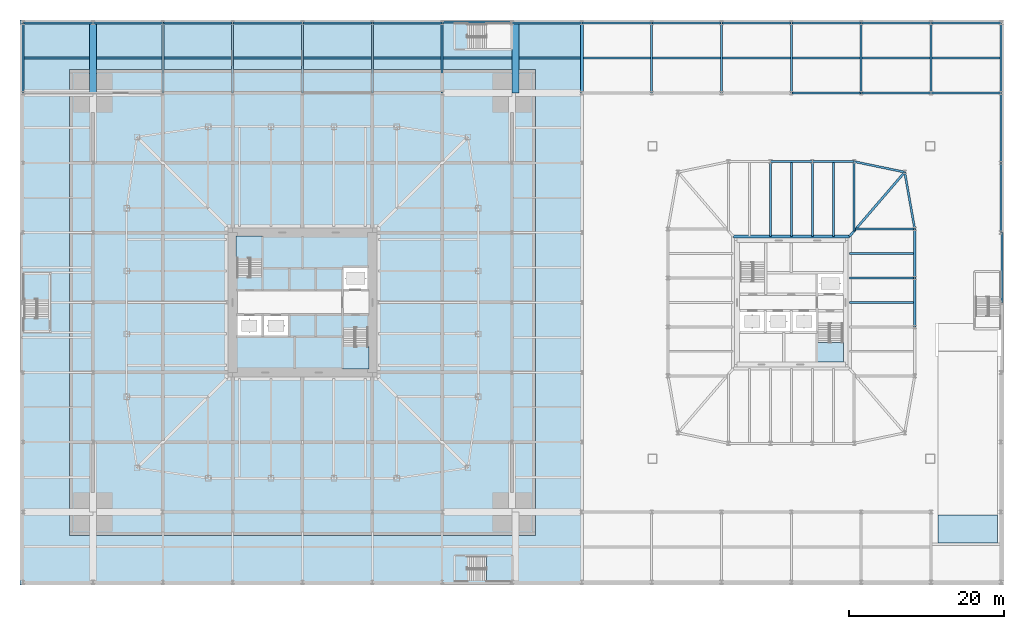
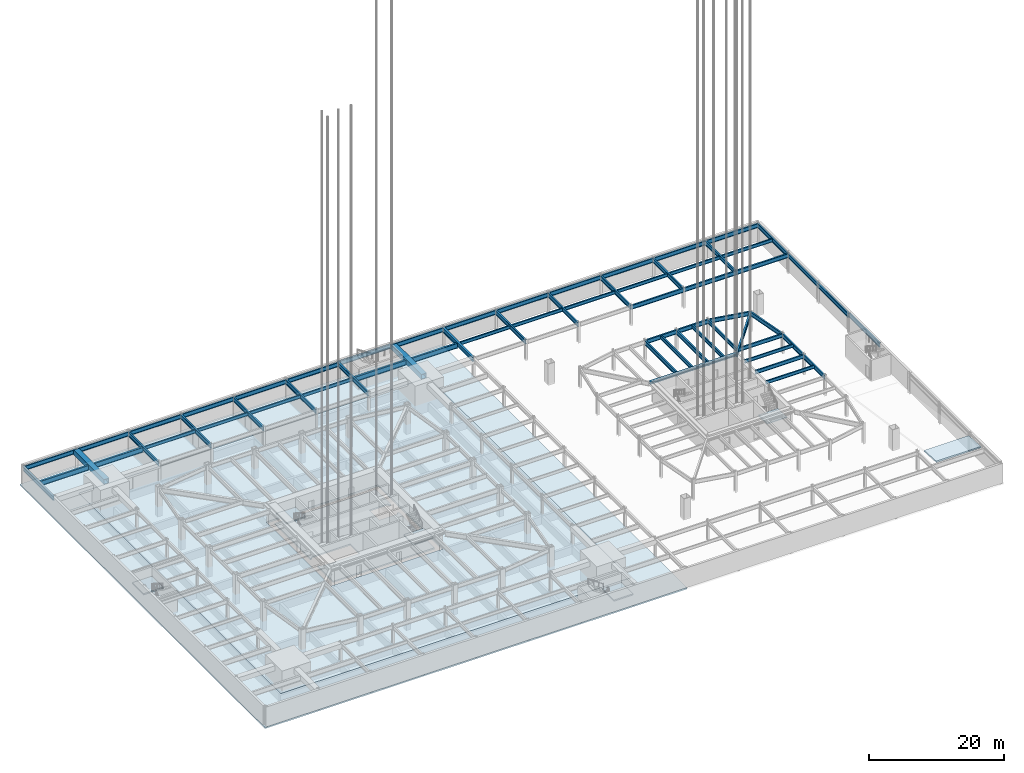
# One storey, part 8 of 35: 66 beams, 9 slabs, 5 elements without a shape of their own.
"""IFC4 building model written with IfcOpenShell, lengths in metres."""

from ifc_helpers import new_model, si_unit, direction, frame, origin, origin_2d, place, context, subcontext, project, spatial, polyline, hollow_rectangle, i_section, outline, extrude, material, layer, layer_set, constituent, constituent_set, material_profile, profile_set, type_object, element, aggregate, save


model = new_model("IFC4")

# Units and contexts
model_context = context("Model", 3, precision=1e-05, world=origin(), true_north=direction((0.0, 1.0)))
body_context = subcontext(model_context, "Body", "Model", "MODEL_VIEW")
ifc_project = project(units=[si_unit("LENGTHUNIT", "METRE"), si_unit("AREAUNIT", "SQUARE_METRE"), si_unit("VOLUMEUNIT", "CUBIC_METRE"), si_unit("PLANEANGLEUNIT", "RADIAN"), si_unit("MASSUNIT", "GRAM", prefix="KILO")], contexts=[model_context])

# Site, building, storey
site_placement = place(None, origin())
site = spatial("IfcSite", under=ifc_project, at=site_placement, CompositionType="ELEMENT")
building_placement = place(site_placement, origin())
building = spatial("IfcBuilding", under=site, at=building_placement, Name="Iwan Alto Co-Living Towers", CompositionType="ELEMENT")
storey_placement = place(building_placement, frame((0.0, 0.0, -7.199951171875)))
storey = spatial("IfcBuildingStorey", under=building, at=storey_placement, Name="B2", CompositionType="ELEMENT", Elevation=-7.199951171875)

# Beams
ifc_material_1 = material(Name="Steel ASTM A992 Gr 50", Category="steel")
ifc_material_profile_1 = material_profile(ifc_material_1, i_section(OverallWidth=0.2666015625, OverallDepth=0.76953125, WebThickness=0.015625, FlangeThickness=0.025390625, at=origin_2d()), Name="W30X132")
ifc_profile_set_1 = profile_set([ifc_material_profile_1], Name="Steel ASTM A992 Gr 50")
beam_type_1 = type_object("IfcBeamType", Name="PODIUM BEAM W30X132", PredefinedType="BEAM", material=ifc_profile_set_1)
for number, where, z_axis, x_axis, name in (
    (1, (-36.0, 27.0, 2.965087890625), (0.0, 1.0, 0.0), (-1.0, 0.0, 0.0), "Podium beam 1/H-1/I B1"),
    (2, (-36.0, 36.0, 2.965087890625), (1.0, 0.0, 0.0), (0.0, 1.0, 0.0), "Podium beam 1/I-2/I B1"),
    (3, (-27.0, 36.0, 2.965087890625), (1.0, 0.0, 0.0), (0.0, 1.0, 0.0), "Podium beam 2/I-3/I B1"),
    (4, (-18.0, 27.0, 2.965087890625), (0.0, 1.0, 0.0), (-1.0, 0.0, 0.0), "Podium beam 3/H-3/I B1"),
    (5, (-18.0, 36.0, 2.965087890625), (1.0, 0.0, 0.0), (0.0, 1.0, 0.0), "Podium beam 3/I-4/I B1"),
    (6, (-9.0, 27.0, 2.965087890625), (0.0, 1.0, 0.0), (-1.0, 0.0, 0.0), "Podium beam 4/H-4/I B1"),
    (7, (-9.0, 36.0, 2.965087890625), (1.0, 0.0, 0.0), (0.0, 1.0, 0.0), "Podium beam 4/I-5/I B1"),
    (8, (0.0, 27.0, 2.965087890625), (0.0, 1.0, 0.0), (-1.0, 0.0, 0.0), "Podium beam 5/H-5/I B1"),
    (9, (0.0, 36.0, 2.965087890625), (1.0, 0.0, 0.0), (0.0, 1.0, 0.0), "Podium beam 5/I-6/I B1"),
    (10, (9.0, 27.0, 2.965087890625), (0.0, 1.0, 0.0), (-1.0, 0.0, 0.0), "Podium beam 6/H-6/I B1"),
    (11, (9.0, 36.0, 2.965087890625), (1.0, 0.0, 0.0), (0.0, 1.0, 0.0), "Podium beam 6/I-7/I B1"),
    (12, (18.0, 27.0, 2.965087890625), (0.0, 1.0, 0.0), (-1.0, 0.0, 0.0), "Podium beam 7/H-7/I B1"),
    (13, (18.0, 36.1533203125, 2.965087890625), (1.0, 0.0, 0.0), (0.0, 1.0, 0.0), "Podium beam 7/I-8/I B1"),
    (14, (27.0, 36.0, 2.965087890625), (1.0, 0.0, 0.0), (0.0, 1.0, 0.0), "Podium beam 8/I-9/I B1"),
    (15, (36.0, 36.0, 2.965087890625), (1.0, 0.0, 0.0), (0.0, 1.0, 0.0), "Podium beam 9/I-10/I B1"),
    (16, (45.0, 27.0, 2.965087890625), (0.0, 1.0, 0.0), (-1.0, 0.0, 0.0), "Podium beam 10/H-10/I B1"),
    (17, (45.0, 36.0, 2.965087890625), (1.0, 0.0, 0.0), (0.0, 1.0, 0.0), "Podium beam 10/I-11/I B1"),
    (18, (54.0, 27.0, 2.965087890625), (0.0, 1.0, 0.0), (-1.0, 0.0, 0.0), "Podium beam 11/H-11/I B1"),
    (19, (54.0, 36.0, 2.965087890625), (1.0, 0.0, 0.0), (0.0, 1.0, 0.0), "Podium beam 11/I-12/I B1"),
    (20, (63.0, 27.0, 2.965087890625), (1.0, 0.0, 0.0), (0.0, 1.0, 0.0), "Podium beam 12/H-13/H B1"),
    (21, (63.0, 27.0, 2.965087890625), (0.0, 1.0, 0.0), (-1.0, 0.0, 0.0), "Podium beam 12/H-12/I B1"),
    (22, (63.0, 36.0, 2.965087890625), (1.0, 0.0, 0.0), (0.0, 1.0, 0.0), "Podium beam 12/I-13/I B1"),
    (23, (72.0, 27.0, 2.965087890625), (1.0, 0.0, 0.0), (0.0, 1.0, 0.0), "Podium beam 13/H-14/H B1"),
    (24, (72.0, 27.0, 2.965087890625), (0.0, 1.0, 0.0), (-1.0, 0.0, 0.0), "Podium beam 13/H-13/I B1"),
    (25, (72.0, 36.0, 2.965087890625), (1.0, 0.0, 0.0), (0.0, 1.0, 0.0), "Podium beam 13/I-14/I B1"),
    (26, (81.0, 27.0, 2.965087890625), (1.0, 0.0, 0.0), (0.0, 1.0, 0.0), "Podium beam 14/H-15/H B1"),
    (27, (81.0, 27.0, 2.965087890625), (0.0, 1.0, 0.0), (-1.0, 0.0, 0.0), "Podium beam 14/H-14/I B1"),
    (28, (81.0, 36.0, 2.965087890625), (1.0, 0.0, 0.0), (0.0, 1.0, 0.0), "Podium beam 14/I-15/I B1"),
    (29, (90.1533203125, 0.0, 2.965087890625), (0.0, 1.0, 0.0), (-1.0, 0.0, 0.0), "Podium beam 15/E-15/F B1"),
    (30, (90.0, 9.0, 2.965087890625), (0.0, 1.0, 0.0), (-1.0, 0.0, 0.0), "Podium beam 15/F-15/G B1"),
    (31, (90.0, 18.0, 2.965087890625), (0.0, 1.0, 0.0), (-1.0, 0.0, 0.0), "Podium beam 15/G-15/H B1"),
    (32, (90.0, 27.0, 2.965087890625), (0.0, 1.0, 0.0), (-1.0, 0.0, 0.0), "Podium beam 15/H-15/I B1"),
):
    element("IfcBeam", number, at=place(storey_placement, frame(where, z_axis=z_axis, x_axis=x_axis)), inside=storey, type_object=beam_type_1, Name=name, PredefinedType="BEAM", context=body_context, shape_type="SweptSolid", body=[
        extrude(i_section(OverallWidth=0.2666015625, OverallDepth=0.76953125, WebThickness=0.015625, FlangeThickness=0.025390625, at=origin_2d()), origin(), (0.0, 0.0, 1.0), 9.0),
    ])
ifc_material_2 = material(Name="Steel ASTM A992 Gr 50", Category="steel")
ifc_material_profile_2 = material_profile(ifc_material_2, i_section(OverallWidth=0.381103515625, OverallDepth=0.772216796875, WebThickness=0.0166015625, FlangeThickness=0.027099609375, at=origin_2d()), Name="W30X173")
ifc_profile_set_2 = profile_set([ifc_material_profile_2], Name="Steel ASTM A992 Gr 50")
beam_type_2 = type_object("IfcBeamType", Name="PODIUM JOINT BEAM W30X173", PredefinedType="BEAM", material=ifc_profile_set_2)
beam_1_placement = place(storey_placement, frame((36.0, 27.0, 2.9638671875), z_axis=(0.0, 1.0, 0.0), x_axis=(-1.0, 0.0, 0.0)))
element("IfcBeam", 33, at=beam_1_placement, inside=storey, type_object=beam_type_2, Name="Podium beam 9/H-9/I B1", PredefinedType="BEAM", context=body_context, shape_type="SweptSolid", body=[
    extrude(i_section(OverallWidth=0.381103515625, OverallDepth=0.772216796875, WebThickness=0.0166015625, FlangeThickness=0.027099609375, at=origin_2d()), origin(), (0.0, 0.0, 1.0), 9.0),
])
ifc_material_3 = material(Name="Steel ASTM A992 Gr 50", Category="steel")
ifc_material_profile_3 = material_profile(ifc_material_3, i_section(OverallWidth=0.307373046875, OverallDepth=0.927001953125, WebThickness=0.01953125, FlangeThickness=0.031982421875, at=origin_2d()), Name="W36X194")
ifc_profile_set_3 = profile_set([ifc_material_profile_3], Name="Steel ASTM A992 Gr 50")
beam_type_3 = type_object("IfcBeamType", Name="PODIUM PIER BAY SECONDARY BEAM W36X194", PredefinedType="JOIST", material=ifc_profile_set_3)
for number, where, z_axis, x_axis, name in (
    (34, (-35.86669921875, 31.5, 2.886474609375), (1.0, 0.0, 0.0), (0.0, 1.0, 0.0), "Podium secondary beam 1/H B1"),
    (35, (-26.550048828125, 31.5, 2.886474609375), (1.0, 0.0, 0.0), (0.0, 1.0, 0.0), "Podium secondary beam 2/H B1"),
):
    element("IfcBeam", number, at=place(storey_placement, frame(where, z_axis=z_axis, x_axis=x_axis)), inside=storey, type_object=beam_type_3, Name=name, PredefinedType="JOIST", context=body_context, shape_type="SweptSolid", body=[
        extrude(i_section(OverallWidth=0.307373046875, OverallDepth=0.927001953125, WebThickness=0.01953125, FlangeThickness=0.031982421875, at=origin_2d()), origin(), (0.0, 0.0, 1.0), 8.416748046875),
    ])
beam_2_placement = place(storey_placement, frame((18.13330078125, 31.5, 2.886474609375), z_axis=(1.0, 0.0, 0.0), x_axis=(0.0, 1.0, 0.0)))
element("IfcBeam", 36, at=beam_2_placement, inside=storey, type_object=beam_type_3, Name="Podium secondary beam 7/H B1", PredefinedType="JOIST", context=body_context, shape_type="SweptSolid", body=[
    extrude(i_section(OverallWidth=0.307373046875, OverallDepth=0.927001953125, WebThickness=0.01953125, FlangeThickness=0.031982421875, at=origin_2d()), origin(), (0.0, 0.0, 1.0), 8.88671875),
])
beam_3_placement = place(storey_placement, frame((27.919921875, 31.5, 2.886474609375), z_axis=(1.0, 0.0, 0.0), x_axis=(0.0, 1.0, 0.0)))
element("IfcBeam", 37, at=beam_3_placement, inside=storey, type_object=beam_type_3, Name="Podium secondary beam 8/H B1", PredefinedType="JOIST", context=body_context, shape_type="SweptSolid", body=[
    extrude(i_section(OverallWidth=0.307373046875, OverallDepth=0.927001953125, WebThickness=0.01953125, FlangeThickness=0.031982421875, at=origin_2d()), origin(), (0.0, 0.0, 1.0), 7.8896484375),
])
ifc_material_4 = material(Name="Steel ASTM A572 Gr 50", Category="steel")
ifc_material_profile_4 = material_profile(ifc_material_4, hollow_rectangle(XDim=0.89990234375, YDim=0.89990234375, WallThickness=0.06005859375, at=origin_2d()), Name="BOX 900X900X60")
ifc_profile_set_4 = profile_set([ifc_material_profile_4], Name="Steel ASTM A572 Gr 50")
beam_type_4 = type_object("IfcBeamType", Name="PODIUM PIER BEAM BOX 900X900X60", PredefinedType="BEAM", material=ifc_profile_set_4)
for number, where, z_axis, x_axis, name in (
    (38, (-27.0, 27.0, 2.89990234375), (0.0, 1.0, 0.0), (-1.0, 0.0, 0.0), "Podium beam 2/H-2/I B1"),
    (39, (27.469970703125, 27.0, 2.89990234375), (0.0, 1.0, 0.0), (-1.0, 0.0, 0.0), "Podium beam 8/H-8/I B1"),
):
    element("IfcBeam", number, at=place(storey_placement, frame(where, z_axis=z_axis, x_axis=x_axis)), inside=storey, type_object=beam_type_4, Name=name, PredefinedType="BEAM", context=body_context, shape_type="SweptSolid", body=[
        extrude(hollow_rectangle(XDim=0.89990234375, YDim=0.89990234375, WallThickness=0.06005859375, at=origin_2d()), origin(), (0.0, 0.0, 1.0), 9.0),
    ])
ifc_material_5 = material(Name="Steel ASTM A992 Gr 50", Category="steel")
ifc_material_profile_5 = material_profile(ifc_material_5, i_section(OverallWidth=0.23046875, OverallDepth=0.6171875, WebThickness=0.01318359375, FlangeThickness=0.022216796875, at=origin_2d()), Name="W24X94")
ifc_profile_set_5 = profile_set([ifc_material_profile_5], Name="Steel ASTM A992 Gr 50")
beam_type_5 = type_object("IfcBeamType", Name="PODIUM SECONDARY BEAM W24X94", PredefinedType="JOIST", material=ifc_profile_set_5)
for number, where, z_axis, x_axis, name in (
    (40, (-17.86669921875, 31.5, 3.041259765625), (1.0, 0.0, 0.0), (0.0, 1.0, 0.0), "Podium secondary beam 3/H B1"),
    (41, (-8.86669921875, 31.5, 3.041259765625), (1.0, 0.0, 0.0), (0.0, 1.0, 0.0), "Podium secondary beam 4/H B1"),
    (42, (0.13330078125, 31.5, 3.041259765625), (1.0, 0.0, 0.0), (0.0, 1.0, 0.0), "Podium secondary beam 5/H B1"),
    (43, (9.13330078125, 31.5, 3.041259765625), (1.0, 0.0, 0.0), (0.0, 1.0, 0.0), "Podium secondary beam 6/H B1"),
):
    element("IfcBeam", number, at=place(storey_placement, frame(where, z_axis=z_axis, x_axis=x_axis)), inside=storey, type_object=beam_type_5, Name=name, PredefinedType="JOIST", context=body_context, shape_type="SweptSolid", body=[
        extrude(i_section(OverallWidth=0.23046875, OverallDepth=0.6171875, WebThickness=0.01318359375, FlangeThickness=0.022216796875, at=origin_2d()), origin(), (0.0, 0.0, 1.0), 8.7333984375),
    ])
beam_4_placement = place(storey_placement, frame((36.1904296875, 31.5, 3.041259765625), z_axis=(1.0, 0.0, 0.0), x_axis=(0.0, 1.0, 0.0)))
element("IfcBeam", 44, at=beam_4_placement, inside=storey, type_object=beam_type_5, Name="Podium secondary beam 9/H B1", PredefinedType="JOIST", context=body_context, shape_type="SweptSolid", body=[
    extrude(i_section(OverallWidth=0.23046875, OverallDepth=0.6171875, WebThickness=0.01318359375, FlangeThickness=0.022216796875, at=origin_2d()), origin(), (0.0, 0.0, 1.0), 8.67626953125),
])
for number, where, z_axis, x_axis, name in (
    (45, (45.13330078125, 31.5, 3.041259765625), (1.0, 0.0, 0.0), (0.0, 1.0, 0.0), "Podium secondary beam 10/H B1"),
    (46, (54.13330078125, 31.5, 3.041259765625), (1.0, 0.0, 0.0), (0.0, 1.0, 0.0), "Podium secondary beam 11/H B1"),
    (47, (63.13330078125, 31.5, 3.041259765625), (1.0, 0.0, 0.0), (0.0, 1.0, 0.0), "Podium secondary beam 12/H B1"),
    (48, (72.13330078125, 31.5, 3.041259765625), (1.0, 0.0, 0.0), (0.0, 1.0, 0.0), "Podium secondary beam 13/H B1"),
    (49, (81.13330078125, 31.5, 3.041259765625), (1.0, 0.0, 0.0), (0.0, 1.0, 0.0), "Podium secondary beam 14/H B1"),
):
    element("IfcBeam", number, at=place(storey_placement, frame(where, z_axis=z_axis, x_axis=x_axis)), inside=storey, type_object=beam_type_5, Name=name, PredefinedType="JOIST", context=body_context, shape_type="SweptSolid", body=[
        extrude(i_section(OverallWidth=0.23046875, OverallDepth=0.6171875, WebThickness=0.01318359375, FlangeThickness=0.022216796875, at=origin_2d()), origin(), (0.0, 0.0, 1.0), 8.7333984375),
    ])
ifc_material_6 = material(Name="Steel ASTM A992 Gr 50", Category="steel")
ifc_material_profile_6 = material_profile(ifc_material_6, i_section(OverallWidth=0.424072265625, OverallDepth=0.47509765625, WebThickness=0.0478515625, FlangeThickness=0.0771484375, at=origin_2d()), Name="W14X426")
ifc_profile_set_6 = profile_set([ifc_material_profile_6], Name="Steel ASTM A992 Gr 50")
beam_type_6 = type_object("IfcBeamType", Name="T2 CORE LEDGER BEAM W14X426", PredefinedType="BEAM", material=ifc_profile_set_6)
beam_5_placement = place(storey_placement, frame((70.482421875, 8.51220703125, 3.112548828125), z_axis=(-1.0, 0.0, 0.0), x_axis=(0.0, -1.0, 0.0)))
element("IfcBeam", 50, at=beam_5_placement, inside=storey, type_object=beam_type_6, Name="T2 core ledger beam N B1", PredefinedType="BEAM", context=body_context, shape_type="SweptSolid", body=[
    extrude(i_section(OverallWidth=0.424072265625, OverallDepth=0.47509765625, WebThickness=0.0478515625, FlangeThickness=0.0771484375, at=origin_2d()), origin(), (0.0, 0.0, 1.0), 14.96484375),
])
ifc_material_7 = material(Name="Steel ASTM A992 Gr 50", Category="steel")
ifc_material_profile_7 = material_profile(ifc_material_7, i_section(OverallWidth=0.2919921875, OverallDepth=0.8408203125, WebThickness=0.0146484375, FlangeThickness=0.021728515625, at=origin_2d()), Name="W33X130")
ifc_profile_set_7 = profile_set([ifc_material_profile_7], Name="Steel ASTM A992 Gr 50")
beam_type_7 = type_object("IfcBeamType", Name="T2 CORNER GIRDER W33X130", PredefinedType="BEAM", material=ifc_profile_set_7)
beam_6_placement = place(storey_placement, frame((77.606201171875, 16.797119140625, 2.9296875), z_axis=(-0.651973760483, -0.758241528565, 0.0), x_axis=(0.758241528565, -0.651973760483, 0.0)))
element("IfcBeam", 51, at=beam_6_placement, inside=storey, type_object=beam_type_7, Name="T2 corner girder CNE B1", PredefinedType="BEAM", context=body_context, shape_type="SweptSolid", body=[
    extrude(i_section(OverallWidth=0.2919921875, OverallDepth=0.8408203125, WebThickness=0.0146484375, FlangeThickness=0.021728515625, at=origin_2d()), origin(), (0.0, 0.0, 1.0), 10.926513671875),
])
ifc_material_8 = material(Name="Steel ASTM A992 Gr 50", Category="steel")
ifc_material_profile_8 = material_profile(ifc_material_8, i_section(OverallWidth=0.2666015625, OverallDepth=0.761962890625, WebThickness=0.014404296875, FlangeThickness=0.021484375, at=origin_2d()), Name="W30X116")
ifc_profile_set_8 = profile_set([ifc_material_profile_8], Name="Steel ASTM A992 Gr 50")
beam_type_8 = type_object("IfcBeamType", Name="T2 EDGE BEAM W30X116", PredefinedType="BEAM", material=ifc_profile_set_8)
beam_7_placement = place(storey_placement, frame((78.89990234375, -3.14990234375, 2.968994140625), z_axis=(0.0, 1.0, 0.0), x_axis=(-1.0, 0.0, 0.0)))
element("IfcBeam", 52, at=beam_7_placement, inside=storey, type_object=beam_type_8, Name="T2 edge beam E2 B1", PredefinedType="BEAM", context=body_context, shape_type="SweptSolid", body=[
    extrude(i_section(OverallWidth=0.2666015625, OverallDepth=0.761962890625, WebThickness=0.014404296875, FlangeThickness=0.021484375, at=origin_2d()), origin(), (0.0, 0.0, 1.0), 6.2998046875),
])
beam_8_placement = place(storey_placement, frame((78.89990234375, 3.14990234375, 2.968994140625), z_axis=(0.0, 1.0, 0.0), x_axis=(-1.0, 0.0, 0.0)))
element("IfcBeam", 53, at=beam_8_placement, inside=storey, type_object=beam_type_8, Name="T2 edge beam E3 B1", PredefinedType="BEAM", context=body_context, shape_type="SweptSolid", body=[
    extrude(i_section(OverallWidth=0.2666015625, OverallDepth=0.761962890625, WebThickness=0.014404296875, FlangeThickness=0.021484375, at=origin_2d()), origin(), (0.0, 0.0, 1.0), 6.300048828125),
])
beam_9_placement = place(storey_placement, frame((78.89990234375, 9.449951171875, 2.968994140625), z_axis=(-0.173413807283, 0.98484905008, 0.0), x_axis=(-0.98484905008, -0.173413807283, 0.0)))
element("IfcBeam", 54, at=beam_9_placement, inside=storey, type_object=beam_type_8, Name="T2 edge beam E4 B1", PredefinedType="BEAM", context=body_context, shape_type="SweptSolid", body=[
    extrude(i_section(OverallWidth=0.2666015625, OverallDepth=0.761962890625, WebThickness=0.014404296875, FlangeThickness=0.021484375, at=origin_2d()), origin(), (0.0, 0.0, 1.0), 7.460205078125),
])
beam_10_placement = place(storey_placement, frame((77.606201171875, 16.797119140625, 2.968994140625), z_axis=(-0.979060119423, 0.203571320564, 0.0), x_axis=(-0.203571320564, -0.979060119423, 0.0)))
element("IfcBeam", 55, at=beam_10_placement, inside=storey, type_object=beam_type_8, Name="T2 edge beam CNE B1", PredefinedType="BEAM", context=body_context, shape_type="SweptSolid", body=[
    extrude(i_section(OverallWidth=0.2666015625, OverallDepth=0.761962890625, WebThickness=0.014404296875, FlangeThickness=0.021484375, at=origin_2d()), origin(), (0.0, 0.0, 1.0), 6.645263671875),
])
beam_11_placement = place(storey_placement, frame((71.10009765625, 18.14990234375, 2.968994140625), z_axis=(-1.0, 0.0, 0.0), x_axis=(0.0, -1.0, 0.0)))
element("IfcBeam", 56, at=beam_11_placement, inside=storey, type_object=beam_type_8, Name="T2 edge beam N1 B1", PredefinedType="BEAM", context=body_context, shape_type="SweptSolid", body=[
    extrude(i_section(OverallWidth=0.2666015625, OverallDepth=0.761962890625, WebThickness=0.014404296875, FlangeThickness=0.021484375, at=origin_2d()), origin(), (0.0, 0.0, 1.0), 5.400146484375),
])
beam_12_placement = place(storey_placement, frame((65.699951171875, 18.14990234375, 2.968994140625), z_axis=(-1.0, 0.0, 0.0), x_axis=(0.0, -1.0, 0.0)))
element("IfcBeam", 57, at=beam_12_placement, inside=storey, type_object=beam_type_8, Name="T2 edge beam N2 B1", PredefinedType="BEAM", context=body_context, shape_type="SweptSolid", body=[
    extrude(i_section(OverallWidth=0.2666015625, OverallDepth=0.761962890625, WebThickness=0.014404296875, FlangeThickness=0.021484375, at=origin_2d()), origin(), (0.0, 0.0, 1.0), 5.39990234375),
])
ifc_material_9 = material(Name="Steel ASTM A992 Gr 50", Category="steel")
ifc_material_profile_9 = material_profile(ifc_material_9, i_section(OverallWidth=0.25390625, OverallDepth=0.683349609375, WebThickness=0.012451171875, FlangeThickness=0.018798828125, at=origin_2d()), Name="W27X94")
ifc_profile_set_9 = profile_set([ifc_material_profile_9], Name="Steel ASTM A992 Gr 50")
beam_type_9 = type_object("IfcBeamType", Name="T2 RADIAL BEAM W27X94", PredefinedType="BEAM", material=ifc_profile_set_9)
beam_13_placement = place(storey_placement, frame((78.89990234375, 3.14990234375, 3.00830078125), z_axis=(-1.0, 0.0, 0.0), x_axis=(0.0, -1.0, 0.0)))
element("IfcBeam", 58, at=beam_13_placement, inside=storey, type_object=beam_type_9, Name="T2 radial beam E3 B1", PredefinedType="BEAM", context=body_context, shape_type="SweptSolid", body=[
    extrude(i_section(OverallWidth=0.25390625, OverallDepth=0.683349609375, WebThickness=0.012451171875, FlangeThickness=0.018798828125, at=origin_2d()), origin(), (0.0, 0.0, 1.0), 8.3876953125),
])
beam_14_placement = place(storey_placement, frame((78.89990234375, 9.449951171875, 3.00830078125), z_axis=(-1.0, 0.0, 0.0), x_axis=(0.0, -1.0, 0.0)))
element("IfcBeam", 59, at=beam_14_placement, inside=storey, type_object=beam_type_9, Name="T2 radial beam E4 B1", PredefinedType="BEAM", context=body_context, shape_type="SweptSolid", body=[
    extrude(i_section(OverallWidth=0.25390625, OverallDepth=0.683349609375, WebThickness=0.012451171875, FlangeThickness=0.018798828125, at=origin_2d()), origin(), (0.0, 0.0, 1.0), 7.611083984375),
])
beam_15_placement = place(storey_placement, frame((71.10009765625, 18.14990234375, 3.00830078125), z_axis=(0.0, -1.0, 0.0), x_axis=(1.0, 0.0, 0.0)))
element("IfcBeam", 60, at=beam_15_placement, inside=storey, type_object=beam_type_9, Name="T2 radial beam N1 B1", PredefinedType="BEAM", context=body_context, shape_type="SweptSolid", body=[
    extrude(i_section(OverallWidth=0.25390625, OverallDepth=0.683349609375, WebThickness=0.012451171875, FlangeThickness=0.018798828125, at=origin_2d()), origin(), (0.0, 0.0, 1.0), 8.91943359375),
])
ifc_material_10 = material(Name="Steel ASTM A992 Gr 50", Category="steel")
ifc_material_profile_10 = material_profile(ifc_material_10, i_section(OverallWidth=0.2666015625, OverallDepth=0.761962890625, WebThickness=0.014404296875, FlangeThickness=0.021484375, at=origin_2d()), Name="W30X116")
ifc_profile_set_10 = profile_set([ifc_material_profile_10], Name="Steel ASTM A992 Gr 50")
beam_type_10 = type_object("IfcBeamType", Name="T2 RADIAL BEAM W30X116", PredefinedType="BEAM", material=ifc_profile_set_10)
for number, where, z_axis, x_axis, name in (
    (61, (65.699951171875, 18.14990234375, 2.968994140625), (0.0, -1.0, 0.0), (1.0, 0.0, 0.0), "T2 radial beam N2 B1"),
    (62, (60.300048828125, 18.14990234375, 2.968994140625), (0.0, -1.0, 0.0), (1.0, 0.0, 0.0), "T2 radial beam N3 B1"),
):
    element("IfcBeam", number, at=place(storey_placement, frame(where, z_axis=z_axis, x_axis=x_axis)), inside=storey, type_object=beam_type_10, Name=name, PredefinedType="BEAM", context=body_context, shape_type="SweptSolid", body=[
        extrude(i_section(OverallWidth=0.2666015625, OverallDepth=0.761962890625, WebThickness=0.014404296875, FlangeThickness=0.021484375, at=origin_2d()), origin(), (0.0, 0.0, 1.0), 9.6376953125),
    ])
ifc_material_11 = material(Name="Steel ASTM A992 Gr 50", Category="steel")
ifc_material_profile_11 = material_profile(ifc_material_11, i_section(OverallWidth=0.228271484375, OverallDepth=0.607177734375, WebThickness=0.01123046875, FlangeThickness=0.017333984375, at=origin_2d()), Name="W24X76")
ifc_profile_set_11 = profile_set([ifc_material_profile_11], Name="Steel ASTM A992 Gr 50")
beam_type_11 = type_object("IfcBeamType", Name="T2 SECONDARY BEAM W24X76", PredefinedType="JOIST", material=ifc_profile_set_11)
for number, where, z_axis, x_axis, name in (
    (63, (78.89990234375, 0.0, 3.04638671875), (-1.0, 0.0, 0.0), (0.0, -1.0, 0.0), "T2 secondary beam E2 B1"),
    (64, (78.89990234375, 6.300048828125, 3.04638671875), (-1.0, 0.0, 0.0), (0.0, -1.0, 0.0), "T2 secondary beam E3 B1"),
):
    element("IfcBeam", number, at=place(storey_placement, frame(where, z_axis=z_axis, x_axis=x_axis)), inside=storey, type_object=beam_type_11, Name=name, PredefinedType="JOIST", context=body_context, shape_type="SweptSolid", body=[
        extrude(i_section(OverallWidth=0.228271484375, OverallDepth=0.607177734375, WebThickness=0.01123046875, FlangeThickness=0.017333984375, at=origin_2d()), origin(), (0.0, 0.0, 1.0), 8.3876953125),
    ])
ifc_material_12 = material(Name="Steel ASTM A992 Gr 50", Category="steel")
ifc_material_profile_12 = material_profile(ifc_material_12, i_section(OverallWidth=0.25390625, OverallDepth=0.683349609375, WebThickness=0.012451171875, FlangeThickness=0.018798828125, at=origin_2d()), Name="W27X94")
ifc_profile_set_12 = profile_set([ifc_material_profile_12], Name="Steel ASTM A992 Gr 50")
beam_type_12 = type_object("IfcBeamType", Name="T2 SECONDARY BEAM W27X94", PredefinedType="JOIST", material=ifc_profile_set_12)
for number, where, z_axis, x_axis, name in (
    (65, (68.39990234375, 18.14990234375, 3.00830078125), (0.0, -1.0, 0.0), (1.0, 0.0, 0.0), "T2 secondary beam N1 B1"),
    (66, (63.0, 18.14990234375, 3.00830078125), (0.0, -1.0, 0.0), (1.0, 0.0, 0.0), "T2 secondary beam N2 B1"),
):
    element("IfcBeam", number, at=place(storey_placement, frame(where, z_axis=z_axis, x_axis=x_axis)), inside=storey, type_object=beam_type_12, Name=name, PredefinedType="JOIST", context=body_context, shape_type="SweptSolid", body=[
        extrude(i_section(OverallWidth=0.25390625, OverallDepth=0.683349609375, WebThickness=0.012451171875, FlangeThickness=0.018798828125, at=origin_2d()), origin(), (0.0, 0.0, 1.0), 9.6376953125),
    ])

# Slabs
ifc_material_13 = material(Name="Concrete f'c 35 MPa", Category="concrete")
ifc_layer_1 = layer(ifc_material_13, 0.25)
ifc_layer_set_1 = layer_set([ifc_layer_1], Name="BASE SLAB 250")
slab_type_1 = type_object("IfcSlabType", Name="BASE SLAB 250", PredefinedType="BASESLAB", material=ifc_layer_set_1)
slab_1_placement = place(storey_placement, frame((0.0, 0.0, -0.25)))
element("IfcSlab", 67, at=slab_1_placement, inside=storey, type_object=slab_type_1, Name="Basement base slab B2 T1 side pour", PredefinedType="BASESLAB", context=body_context, shape_type="SweptSolid", body=[
    extrude(outline(polyline([(36.0, 36.39990234375), (36.0, -36.39990234375), (-36.39990234375, -36.39990234375), (-36.39990234375, 36.39990234375), (36.0, 36.39990234375)]), holes=[polyline([(-30.0, -30.0), (30.0, -30.0), (30.0, 30.0), (-30.0, 30.0), (-30.0, -30.0)])]), origin(), (0.0, 0.0, 1.0), 0.25),
])
ifc_material_14 = material(Name="Concrete f'c 35 MPa", Category="concrete")
ifc_layer_2 = layer(ifc_material_14, 0.300048828125)
ifc_layer_set_2 = layer_set([ifc_layer_2], Name="BOX TOP SLAB 300")
slab_type_2 = type_object("IfcSlabType", Name="BOX TOP SLAB 300", PredefinedType="FLOOR", material=ifc_layer_set_2)
slab_2_placement = place(storey_placement, frame((0.0, 0.0, -0.300048828125)))
element("IfcSlab", 68, at=slab_2_placement, inside=storey, type_object=slab_type_2, Name="T1 compensated box top slab B2", PredefinedType="FLOOR", context=body_context, shape_type="SweptSolid", body=[
    extrude(outline(polyline([(-30.0, -30.0), (30.0, -30.0), (30.0, 30.0), (-30.0, 30.0), (-30.0, -30.0)]), holes=[polyline([(-9.60009765625, -9.60009765625), (9.60009765625, -9.60009765625), (9.60009765625, 9.60009765625), (-9.60009765625, 9.60009765625), (-9.60009765625, -9.60009765625)])]), origin(), (0.0, 0.0, 1.0), 0.300048828125),
])
ifc_material_15 = material(Name="Concrete f'c 70 MPa", Category="concrete")
ifc_layer_3 = layer(ifc_material_15, 0.25)
ifc_layer_set_3 = layer_set([ifc_layer_3], Name="Concrete f'c 70 MPa")
slab_type_3 = type_object("IfcSlabType", Name="CAR PARK RAMP SLAB 250", PredefinedType="USERDEFINED", material=ifc_layer_set_3)
slab_3_placement = place(storey_placement, frame((81.89990234375, -31.0, 3.599853515625), z_axis=(0.0, 0.059841028156, 0.998207919899), x_axis=(0.0, 0.998207919899, -0.059841028156)))
element("IfcSlab", 69, at=slab_3_placement, inside=storey, type_object=slab_type_3, Name="Car park ramp R2 top transition", ObjectType="RAMP", PredefinedType="USERDEFINED", context=body_context, shape_type="SweptSolid", body=[
    extrude(outline(polyline([(0.0, 0.0), (3.606560902, 0.0), (3.606560902, -7.646728516), (0.0, -7.646728516), (0.0, 0.0)])), origin(), (0.0, 0.0, -1.0), 0.25),
])
ifc_material_16 = material(Name="Concrete f'c 35 MPa", Category="concrete")
ifc_layer_4 = layer(ifc_material_16, 0.25)
ifc_layer_set_4 = layer_set([ifc_layer_4], Name="CORE BASE SLAB 250")
slab_type_4 = type_object("IfcSlabType", Name="CORE BASE SLAB 250", PredefinedType="BASESLAB", material=ifc_layer_set_4)
slab_4_placement = place(storey_placement, frame((0.0, 0.0, -0.25)))
element("IfcSlab", 70, at=slab_4_placement, inside=storey, type_object=slab_type_4, Name="T1 core base slab B2", PredefinedType="BASESLAB", context=body_context, shape_type="SweptSolid", body=[
    extrude(outline(polyline([(-8.39990234375, -4.39990234375), (-5.125, -4.39990234375), (-1.699951171875, -4.39990234375), (-1.699951171875, -1.60009765625), (-5.125, -1.60009765625), (-8.39990234375, -1.60009765625), (-8.39990234375, -1.909912109375), (-8.699951171875, -1.909912109375), (-8.699951171875, 8.699951171875), (8.699951171875, 8.699951171875), (8.699951171875, 4.2900390625), (8.39990234375, 4.2900390625), (8.39990234375, 4.60009765625), (5.14990234375, 4.60009765625), (5.14990234375, 1.60009765625), (8.39990234375, 1.60009765625), (8.39990234375, 1.909912109375), (8.699951171875, 1.909912109375), (8.699951171875, -8.699951171875), (-8.699951171875, -8.699951171875), (-8.699951171875, -4.090087890625), (-8.39990234375, -4.090087890625), (-8.39990234375, -4.39990234375)])), origin(), (0.0, 0.0, 1.0), 0.25),
])

# Stair, slab
ifc_material_17 = material(Name="Steel ASTM A36", Category="steel")
ifc_constituent_1 = constituent(ifc_material_17, Name="Stringers", Category="LoadBearing")
ifc_material_18 = material(Name="Concrete f'c 30 MPa", Category="concrete")
ifc_constituent_2 = constituent(ifc_material_18, Name="Tread fill", Category="Finish")
ifc_constituent_set_1 = constituent_set(constituents=[ifc_constituent_1, ifc_constituent_2], Name="STAIR 3600 TWO-FLIGHT PODIUM")
stair_type_1 = type_object("IfcStairType", Name="STAIR 3600 TWO-FLIGHT PODIUM", PredefinedType="HALF_TURN_STAIR", material=ifc_constituent_set_1)
stair_1_placement = place(storey_placement, origin())
stair_1 = element("IfcStair", 71, at=stair_1_placement, inside=storey, type_object=stair_type_1, Name="Stair PS1 B2 to B1", PredefinedType="HALF_TURN_STAIR")
ifc_material_19 = material(Name="Concrete f'c 30 MPa", Category="concrete")
ifc_layer_5 = layer(ifc_material_19, 0.199951171875)
ifc_layer_set_5 = layer_set([ifc_layer_5], Name="STAIR LANDING 200")
slab_type_5 = type_object("IfcSlabType", Name="STAIR LANDING 200", PredefinedType="LANDING", material=ifc_layer_set_5)
slab_5_placement = place(storey_placement, frame((0.0, 0.0, 1.599853515625)))
slab_5 = element("IfcSlab", 72, at=slab_5_placement, type_object=slab_type_5, Name="PS1 landing 1", PredefinedType="LANDING", context=body_context, shape_type="SweptSolid", body=[
    extrude(outline(polyline([(-36.0, 0.389892578125), (-36.0, 3.699951171875), (-32.60009765625, 3.699951171875), (-32.60009765625, 0.389892578125), (-36.0, 0.389892578125)])), origin(), (0.0, 0.0, 1.0), 0.2001953125),
])
aggregate(stair_1, [slab_5])

stair_2_placement = place(storey_placement, origin())
stair_2 = element("IfcStair", 73, at=stair_2_placement, inside=storey, type_object=stair_type_1, Name="Stair PS4 B2 to B1", PredefinedType="HALF_TURN_STAIR")
slab_6_placement = place(storey_placement, frame((0.0, 0.0, 1.599853515625)))
slab_6 = element("IfcSlab", 74, at=slab_6_placement, type_object=slab_type_5, Name="PS4 landing 1", PredefinedType="LANDING", context=body_context, shape_type="SweptSolid", body=[
    extrude(outline(polyline([(23.68994140625, -36.0), (27.0, -36.0), (27.0, -32.60009765625), (23.68994140625, -32.60009765625), (23.68994140625, -36.0)])), origin(), (0.0, 0.0, 1.0), 0.2001953125),
])
aggregate(stair_2, [slab_6])

ifc_constituent_3 = constituent(ifc_material_17, Name="Stringers", Category="LoadBearing")
ifc_constituent_4 = constituent(ifc_material_18, Name="Tread fill", Category="Finish")
ifc_constituent_set_2 = constituent_set(constituents=[ifc_constituent_3, ifc_constituent_4], Name="STAIR 3600 TWO-FLIGHT T1 CORE")
stair_type_2 = type_object("IfcStairType", Name="STAIR 3600 TWO-FLIGHT T1 CORE", PredefinedType="HALF_TURN_STAIR", material=ifc_constituent_set_2)
stair_3_placement = place(storey_placement, origin())
stair_3 = element("IfcStair", 75, at=stair_3_placement, inside=storey, type_object=stair_type_2, Name="Stair T1-S1 B2 to B1", PredefinedType="HALF_TURN_STAIR")
slab_7_placement = place(storey_placement, frame((0.0, 0.0, 1.599853515625)))
slab_7 = element("IfcSlab", 76, at=slab_7_placement, type_object=slab_type_5, Name="T1-S1 landing 1", PredefinedType="LANDING", context=body_context, shape_type="SweptSolid", body=[
    extrude(outline(polyline([(-8.550048828125, 5.68994140625), (-8.550048828125, 8.550048828125), (-5.14990234375, 8.550048828125), (-5.14990234375, 5.68994140625), (-8.550048828125, 5.68994140625)])), origin(), (0.0, 0.0, 1.0), 0.2001953125),
])
aggregate(stair_3, [slab_7])

stair_4_placement = place(storey_placement, origin())
stair_4 = element("IfcStair", 77, at=stair_4_placement, inside=storey, type_object=stair_type_2, Name="Stair T1-S2 B2 to B1", PredefinedType="HALF_TURN_STAIR")
slab_8_placement = place(storey_placement, frame((0.0, 0.0, 1.599853515625)))
slab_8 = element("IfcSlab", 78, at=slab_8_placement, type_object=slab_type_5, Name="T1-S2 landing 1", PredefinedType="LANDING", context=body_context, shape_type="SweptSolid", body=[
    extrude(outline(polyline([(5.14990234375, -5.68994140625), (5.14990234375, -8.550048828125), (8.550048828125, -8.550048828125), (8.550048828125, -5.68994140625), (5.14990234375, -5.68994140625)])), origin(), (0.0, 0.0, 1.0), 0.2001953125),
])
aggregate(stair_4, [slab_8])

ifc_constituent_5 = constituent(ifc_material_17, Name="Stringers", Category="LoadBearing")
ifc_constituent_6 = constituent(ifc_material_18, Name="Tread fill", Category="Finish")
ifc_constituent_set_3 = constituent_set(constituents=[ifc_constituent_5, ifc_constituent_6], Name="STAIR 3600 TWO-FLIGHT T2 CORE")
stair_type_3 = type_object("IfcStairType", Name="STAIR 3600 TWO-FLIGHT T2 CORE", PredefinedType="HALF_TURN_STAIR", material=ifc_constituent_set_3)
stair_5_placement = place(storey_placement, origin())
stair_5 = element("IfcStair", 79, at=stair_5_placement, inside=storey, type_object=stair_type_3, Name="Stair T2-S2 B2 to B1", PredefinedType="HALF_TURN_STAIR")
slab_9_placement = place(storey_placement, frame((0.0, 0.0, 1.599853515625)))
slab_9 = element("IfcSlab", 80, at=slab_9_placement, type_object=slab_type_5, Name="T2-S2 landing 1", PredefinedType="LANDING", context=body_context, shape_type="SweptSolid", body=[
    extrude(outline(polyline([(66.300048828125, -5.139892578125), (66.300048828125, -7.699951171875), (69.699951171875, -7.699951171875), (69.699951171875, -5.139892578125), (66.300048828125, -5.139892578125)])), origin(), (0.0, 0.0, 1.0), 0.2001953125),
])
aggregate(stair_5, [slab_9])

save(model, "model.ifc")
